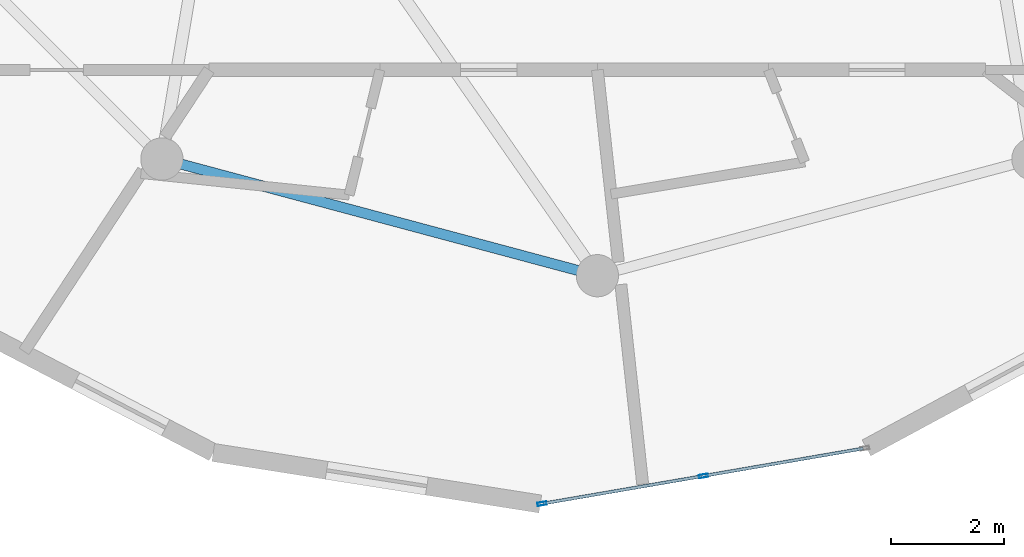
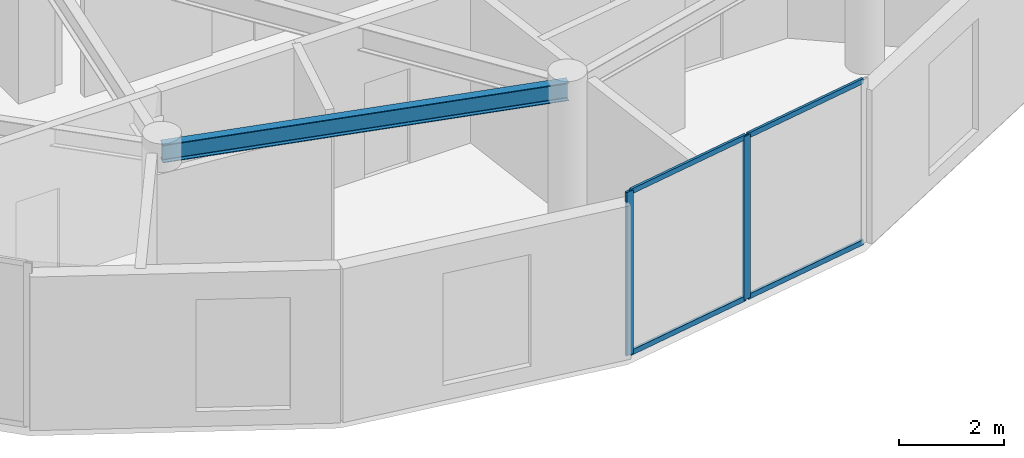
# One storey, part 4 of 22: 6 members, 1 beam, 1 element without a shape of its own.
"""IFC4 building model written with IfcOpenShell, lengths in metres."""

from ifc_helpers import new_model, si_unit, direction, frame, origin, origin_2d, place, context, subcontext, project, spatial, hollow_rectangle, i_section, extrude, source, transform, mapped, material, layer, layer_set, material_profile, profile_set, type_object, element, aggregate, save


model = new_model("IFC4")

# Units and contexts
model_context = context("Model", 3, precision=1e-05, world=origin(), true_north=direction((0.0, 1.0)))
body_context = subcontext(model_context, "Body", "Model", "MODEL_VIEW")
ifc_project = project(units=[si_unit("LENGTHUNIT", "METRE"), si_unit("AREAUNIT", "SQUARE_METRE"), si_unit("VOLUMEUNIT", "CUBIC_METRE"), si_unit("PLANEANGLEUNIT", "RADIAN"), si_unit("MASSUNIT", "GRAM", prefix="KILO")], contexts=[model_context])

# Site, building, storey
site_placement = place(None, origin())
site = spatial("IfcSite", under=ifc_project, at=site_placement, CompositionType="ELEMENT")
building_placement = place(site_placement, origin())
building = spatial("IfcBuilding", under=site, at=building_placement, Name="Solvirekh Grand Hotel", CompositionType="ELEMENT")
storey_placement = place(building_placement, frame((0.0, 0.0, 278.199951171875)))
storey = spatial("IfcBuildingStorey", under=building, at=storey_placement, Name="L72", CompositionType="ELEMENT", Elevation=278.199951171875)

# Beam
ifc_material_1 = material(Name="Steel S355", Category="steel")
ifc_material_profile_1 = material_profile(ifc_material_1, i_section(OverallWidth=0.180908203125, OverallDepth=0.4169921875, WebThickness=0.010009765625, FlangeThickness=0.01611328125, FilletRadius=0.011962890625, at=origin_2d()), Name="W410X85")
ifc_profile_set_1 = profile_set([ifc_material_profile_1], Name="Steel S355")
beam_type = type_object("IfcBeamType", Name="Spandrel_Ring_W410", PredefinedType="SPANDREL", material=ifc_profile_set_1)
beam_placement = place(storey_placement, frame((-7.72509765625, -13.3798828125, 3.361083984375), z_axis=(0.965921616143, -0.258834757072, 0.0), x_axis=(0.258834757072, 0.965921616143, 0.0)))
element("IfcBeam", 1, at=beam_placement, inside=storey, type_object=beam_type, Name="L72 perimeter spandrel beam 9", PredefinedType="SPANDREL", context=body_context, shape_type="SweptSolid", body=[
    extrude(i_section(OverallWidth=0.180908203125, OverallDepth=0.4169921875, WebThickness=0.010009765625, FlangeThickness=0.01611328125, FilletRadius=0.011962890625, at=origin_2d()), origin(), (0.0, 0.0, 1.0), 7.99755859375),
])

# Curtain wall, members
ifc_material_2 = material(Name="Anodized Bronze Aluminium 6063-T6", Category="aluminium")
ifc_layer = layer(ifc_material_2, 0.159912109375)
ifc_layer_set = layer_set([ifc_layer], Name="Anodized Bronze Aluminium 6063-T6")
curtain_wall_type = type_object("IfcCurtainWallType", Name="CW_Sys4_HighZoneFlushBronzeCW", PredefinedType="NOTDEFINED", material=ifc_layer_set)
curtain_wall_placement = place(storey_placement, origin())
curtain_wall = element("IfcCurtainWall", 2, at=curtain_wall_placement, inside=storey, type_object=curtain_wall_type, Name="L72 unitised bronze-glass curtain wall CW-L72-C01", PredefinedType="NOTDEFINED")
ifc_material_profile_2 = material_profile(ifc_material_2, hollow_rectangle(XDim=0.06005859375, YDim=0.159912109375, WallThickness=0.0048828125, at=origin_2d()), Name="ALU RHS 160X60X5")
ifc_profile_set_2 = profile_set([ifc_material_profile_2], Name="Anodized Bronze Aluminium 6063-T6")
member_type_1 = type_object("IfcMemberType", Name="CWMullion_Sys4", PredefinedType="MULLION", material=ifc_profile_set_2)
shared_shape_1 = source(origin(), body_context, "Body", "SweptSolid", [
    extrude(hollow_rectangle(XDim=0.06005859375, YDim=0.159912109375, WallThickness=0.0048828125, at=origin_2d()), origin(), (0.0, 0.0, 1.0), 3.800048828125),
])
member_1_placement = place(storey_placement, frame((-0.984375, -19.494873046875, 0.0), z_axis=(0.0, 0.0, 1.0), x_axis=(-0.169450661535, 0.985538671644, 0.0)))
member_1 = element("IfcMember", 3, at=member_1_placement, type_object=member_type_1, Name="U04 mullion 1", PredefinedType="MULLION", context=body_context, shape_type="MappedRepresentation", body=[
    mapped(shared_shape_1, transform((0.0, 0.0, 0.0), x_axis=(1.0, 0.0, 0.0), y_axis=(0.0, 1.0, 0.0), z_axis=(0.0, 0.0, 1.0), scale=1.0)),
])
member_2_placement = place(storey_placement, frame((1.87939453125, -19.00244140625, 0.0), z_axis=(0.0, 0.0, 1.0), x_axis=(-0.169450661535, 0.985538671644, 0.0)))
member_2 = element("IfcMember", 4, at=member_2_placement, type_object=member_type_1, Name="U04 mullion 2", PredefinedType="MULLION", context=body_context, shape_type="MappedRepresentation", body=[
    mapped(shared_shape_1, transform((0.0, 0.0, 0.0), x_axis=(1.0, 0.0, 0.0), y_axis=(0.0, 1.0, 0.0), z_axis=(0.0, 0.0, 1.0), scale=1.0)),
])
ifc_material_profile_3 = material_profile(ifc_material_2, hollow_rectangle(XDim=0.054931640625, YDim=0.1201171875, WallThickness=0.00390625, at=origin_2d()), Name="ALU RHS 120X55X4")
ifc_profile_set_3 = profile_set([ifc_material_profile_3], Name="Anodized Bronze Aluminium 6063-T6")
member_type_2 = type_object("IfcMemberType", Name="CWTransom_Sys4", PredefinedType="USERDEFINED", material=ifc_profile_set_3)
shared_shape_2 = source(origin(), body_context, "Body", "SweptSolid", [
    extrude(hollow_rectangle(XDim=0.054931640625, YDim=0.1201171875, WallThickness=0.00390625, at=origin_2d()), origin(), (0.0, 0.0, 1.0), 2.845947265625),
])
member_3_placement = place(storey_placement, frame((-0.954833984375, -19.48974609375, 0.027587890625), z_axis=(0.985541728945, 0.169432879062, 0.0), x_axis=(-0.169432879062, 0.985541728945, 0.0)))
member_3 = element("IfcMember", 5, at=member_3_placement, type_object=member_type_2, Name="U04 transom 1.1", ObjectType="TRANSOM", PredefinedType="USERDEFINED", context=body_context, shape_type="MappedRepresentation", body=[
    mapped(shared_shape_2, transform((0.0, 0.0, 0.0), x_axis=(1.0, 0.0, 0.0), y_axis=(0.0, 1.0, 0.0), z_axis=(0.0, 0.0, 1.0), scale=1.0)),
])
member_4_placement = place(storey_placement, frame((-0.954833984375, -19.48974609375, 3.7724609375), z_axis=(0.985541728945, 0.169432879062, 0.0), x_axis=(-0.169432879062, 0.985541728945, 0.0)))
member_4 = element("IfcMember", 6, at=member_4_placement, type_object=member_type_2, Name="U04 transom 1.2", ObjectType="TRANSOM", PredefinedType="USERDEFINED", context=body_context, shape_type="MappedRepresentation", body=[
    mapped(shared_shape_2, transform((0.0, 0.0, 0.0), x_axis=(1.0, 0.0, 0.0), y_axis=(0.0, 1.0, 0.0), z_axis=(0.0, 0.0, 1.0), scale=1.0)),
])
member_5_placement = place(storey_placement, frame((1.9091796875, -18.997314453125, 0.027587890625), z_axis=(0.985541728945, 0.169432879062, 0.0), x_axis=(-0.169432879062, 0.985541728945, 0.0)))
member_5 = element("IfcMember", 7, at=member_5_placement, type_object=member_type_2, Name="U04 transom 2.1", ObjectType="TRANSOM", PredefinedType="USERDEFINED", context=body_context, shape_type="MappedRepresentation", body=[
    mapped(shared_shape_2, transform((0.0, 0.0, 0.0), x_axis=(1.0, 0.0, 0.0), y_axis=(0.0, 1.0, 0.0), z_axis=(0.0, 0.0, 1.0), scale=1.0)),
])
member_6_placement = place(storey_placement, frame((1.9091796875, -18.997314453125, 3.7724609375), z_axis=(0.985541728945, 0.169432879062, 0.0), x_axis=(-0.169432879062, 0.985541728945, 0.0)))
member_6 = element("IfcMember", 8, at=member_6_placement, type_object=member_type_2, Name="U04 transom 2.2", ObjectType="TRANSOM", PredefinedType="USERDEFINED", context=body_context, shape_type="MappedRepresentation", body=[
    mapped(shared_shape_2, transform((0.0, 0.0, 0.0), x_axis=(1.0, 0.0, 0.0), y_axis=(0.0, 1.0, 0.0), z_axis=(0.0, 0.0, 1.0), scale=1.0)),
])
aggregate(curtain_wall, [member_1, member_2, member_3, member_4, member_5, member_6])

save(model, "model.ifc")
